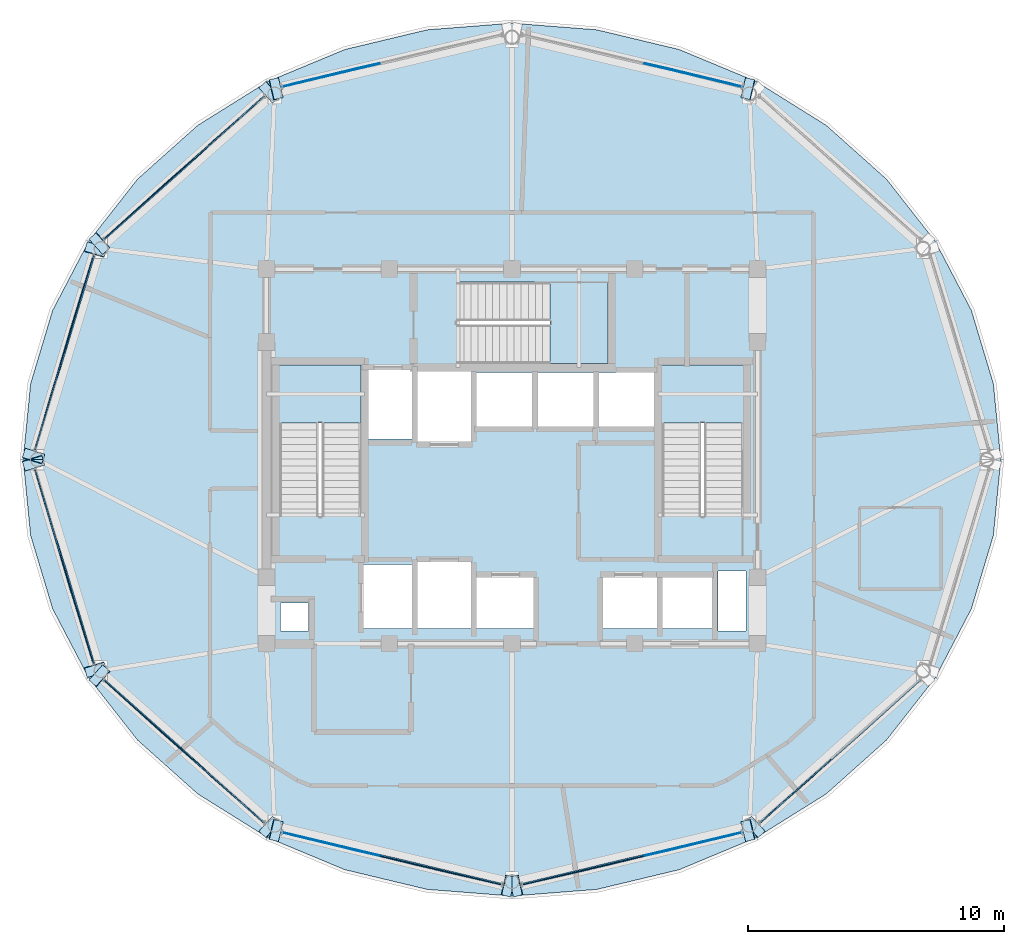
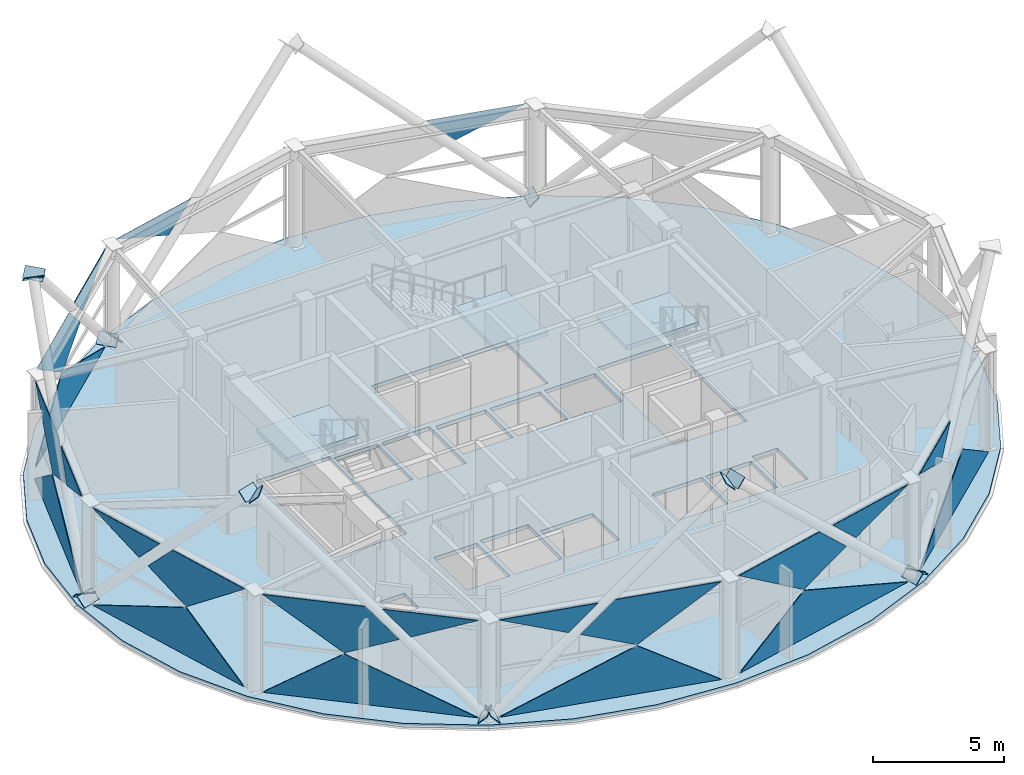
# One storey, part 19 of 27: 37 plates, 4 slabs, 12 elements without a shape of their own.
"""IFC4 building model written with IfcOpenShell, lengths in metres."""

from ifc_helpers import new_model, si_unit, direction, frame, origin, place, context, subcontext, project, spatial, polyline, outline, extrude, material, layer, layer_set, type_object, element, aggregate, save


model = new_model("IFC4")

# Units and contexts
model_context = context("Model", 3, precision=1e-05, world=origin(), true_north=direction((0.0, 1.0)))
body_context = subcontext(model_context, "Body", "Model", "MODEL_VIEW")
ifc_project = project(units=[si_unit("LENGTHUNIT", "METRE"), si_unit("AREAUNIT", "SQUARE_METRE"), si_unit("VOLUMEUNIT", "CUBIC_METRE"), si_unit("PLANEANGLEUNIT", "RADIAN"), si_unit("MASSUNIT", "GRAM", prefix="KILO")], contexts=[model_context])

# Site, building, storey
site_placement = place(None, origin())
site = spatial("IfcSite", under=ifc_project, at=site_placement, CompositionType="ELEMENT")
building_placement = place(site_placement, origin())
building = spatial("IfcBuilding", under=site, at=building_placement, Name="Vantalir Tower", CompositionType="ELEMENT")
storey_placement = place(building_placement, frame((0.0, 0.0, 290.10009765625)))
storey = spatial("IfcBuildingStorey", under=building, at=storey_placement, Name="L73", CompositionType="ELEMENT", Elevation=290.10009765625)

# Curtain wall, plate
ifc_material_1 = material(Name="Champagne-silver PVDF aluminium and double-silver Low-E glass", Category="aluminium")
ifc_layer_1 = layer(ifc_material_1, 0.219970703125)
ifc_layer_set_1 = layer_set([ifc_layer_1], Name="Champagne-silver PVDF aluminium and double-silver Low-E glass")
curtain_wall_type = type_object("IfcCurtainWallType", Name="CW-DIAMOND-Z4", PredefinedType="USERDEFINED", material=ifc_layer_set_1)
curtain_wall_1_placement = place(storey_placement, origin())
curtain_wall_1 = element("IfcCurtainWall", 1, at=curtain_wall_1_placement, inside=storey, type_object=curtain_wall_type, Name="L73 Quilted Pyramid-Diamond Curtain Wall S03", ObjectType="UNITISED CURTAIN WALL", PredefinedType="USERDEFINED")
ifc_material_2 = material(Name="Double-silver Low-E acoustic glass IGU", Category="glass")
ifc_layer_2 = layer(ifc_material_2, 0.031982421875)
ifc_layer_set_2 = layer_set([ifc_layer_2], Name="Double-silver Low-E acoustic glass IGU")
plate_type_1 = type_object("IfcPlateType", Name="CWP-IGU-32", PredefinedType="CURTAIN_PANEL", material=ifc_layer_set_2)
plate_1_placement = place(storey_placement, frame((40.489501953125, 39.593017578125, 4.572998046875), z_axis=(0.232180415024, 0.972615276663, 0.010572534234), x_axis=(-0.972669485658, 0.232194030533, -6.2083965e-05)))
plate_1 = element("IfcPlate", 2, at=plate_1_placement, type_object=plate_type_1, Name="CW-L73-S03 Pyramid Diamond Facet 2U Infill Light", PredefinedType="CURTAIN_PANEL", context=body_context, shape_type="SweptSolid", body=[
    extrude(outline(polyline([(0.0, 0.0), (3.9324264082234053, 1.2739375526704677e-18), (2.7541454241117083, -1.1322165131518813), (0.0, 0.0)])), origin(), (0.0, 0.0, -1.0), 0.031982421875),
])
aggregate(curtain_wall_1, [plate_1])

curtain_wall_2_placement = place(storey_placement, origin())
curtain_wall_2 = element("IfcCurtainWall", 3, at=curtain_wall_2_placement, inside=storey, type_object=curtain_wall_type, Name="L73 Quilted Pyramid-Diamond Curtain Wall S04", ObjectType="UNITISED CURTAIN WALL", PredefinedType="USERDEFINED")
plate_2_placement = place(storey_placement, frame((26.33544921875, 40.506103515625, 4.57275390625), z_axis=(-0.232180415024, 0.972615276663, 0.010572534234), x_axis=(-0.972669485658, -0.232194030533, 6.2083965e-05)))
plate_2 = element("IfcPlate", 4, at=plate_2_placement, type_object=plate_type_1, Name="CW-L73-S04 Pyramid Diamond Facet 2U Infill Light", PredefinedType="CURTAIN_PANEL", context=body_context, shape_type="SweptSolid", body=[
    extrude(outline(polyline([(0.0, 0.0), (3.9324264082234053, -1.2739375526704677e-18), (1.1782809841116975, -1.1322165131518813), (0.0, 0.0)])), origin(), (0.0, 0.0, -1.0), 0.031982421875),
])
aggregate(curtain_wall_2, [plate_2])

# Curtain wall, plates
curtain_wall_3_placement = place(storey_placement, origin())
curtain_wall_3 = element("IfcCurtainWall", 5, at=curtain_wall_3_placement, inside=storey, type_object=curtain_wall_type, Name="L73 Quilted Pyramid-Diamond Curtain Wall S05", ObjectType="UNITISED CURTAIN WALL", PredefinedType="USERDEFINED")
plate_3_placement = place(storey_placement, frame((21.82275390625, 39.19482421875, 0.04736328125), z_axis=(0.665097822152, -0.746683093934, 0.010451995089), x_axis=(-0.74672428644, -0.665133698325, 5.8258185e-05)))
plate_3 = element("IfcPlate", 6, at=plate_3_placement, type_object=plate_type_1, Name="CW-L73-S05 Pyramid Diamond Facet 1L", PredefinedType="CURTAIN_PANEL", context=body_context, shape_type="SweptSolid", body=[
    extrude(outline(polyline([(0.0, 0.0), (8.381333024156369, 2.710505431213761e-19), (5.197953699216179, -2.24859930391494), (0.0, 0.0)])), origin(), (0.0, 0.0, -1.0), 0.031982421875),
])
plate_4_placement = place(storey_placement, frame((18.54833984375, 36.2783203125, 4.572265625), z_axis=(-0.665118034212, 0.746665585462, 0.010416527803), x_axis=(-0.746706518922, -0.665153644555, -6.1111021e-05)))
plate_4 = element("IfcPlate", 7, at=plate_4_placement, type_object=plate_type_1, Name="CW-L73-S05 Pyramid Diamond Facet 2U", PredefinedType="CURTAIN_PANEL", context=body_context, shape_type="SweptSolid", body=[
    extrude(outline(polyline([(0.0, 0.0), (3.9963834774926106, -1.4907779871675686e-18), (0.8130099553584159, -2.248851625271841), (-1.317125586153852, -1.3273010240409366), (0.0, 0.0)])), origin(), (0.0, 0.0, -1.0), 0.031982421875),
])
plate_5_placement = place(storey_placement, frame((21.798828125, 39.2216796875, 4.57275390625), z_axis=(-0.66510396818, 0.74667641582, 0.010537626388), x_axis=(-0.746717875334, -0.66514089835, 0.0)))
plate_5 = element("IfcPlate", 8, at=plate_5_placement, type_object=plate_type_1, Name="CW-L73-S05 Pyramid Diamond Facet 2U Infill Light", PredefinedType="CURTAIN_PANEL", context=body_context, shape_type="SweptSolid", body=[
    extrude(outline(polyline([(0.0, 0.0), (3.7229981880818857, -3.469446951953614e-18), (2.604709723423201, -1.1267715453524179), (0.0, 0.0)])), origin(), (0.0, 0.0, -1.0), 0.031982421875),
])
aggregate(curtain_wall_3, [plate_3, plate_4, plate_5])

curtain_wall_4_placement = place(storey_placement, origin())
curtain_wall_4 = element("IfcCurtainWall", 9, at=curtain_wall_4_placement, inside=storey, type_object=curtain_wall_type, Name="L73 Quilted Pyramid-Diamond Curtain Wall S06", ObjectType="UNITISED CURTAIN WALL", PredefinedType="USERDEFINED")
plate_6_placement = place(storey_placement, frame((15.1455078125, 32.96337890625, 0.0478515625), z_axis=(0.957550965706, -0.288067963096, 0.010629991259), x_axis=(-0.288083925546, -0.957605164402, -3.0860624e-05)))
plate_6 = element("IfcPlate", 10, at=plate_6_placement, type_object=plate_type_1, Name="CW-L73-S06 Pyramid Diamond Facet 1L", PredefinedType="CURTAIN_PANEL", context=body_context, shape_type="SweptSolid", body=[
    extrude(outline(polyline([(0.0, 0.0), (7.911072199030909, 2.710505431213761e-18), (3.008637507253169, -2.248510905887778), (0.0, 0.0)])), origin(), (0.0, 0.0, -1.0), 0.031982421875),
])
plate_7_placement = place(storey_placement, frame((15.1455078125, 32.96337890625, 4.57177734375), z_axis=(-0.95755535598, 0.288052140713, 0.010663229553), x_axis=(-0.288067854722, -0.957609997263, 6.4943289e-05)))
plate_7 = element("IfcPlate", 11, at=plate_7_placement, type_object=plate_type_1, Name="CW-L73-S06 Pyramid Diamond Facet 2U", PredefinedType="CURTAIN_PANEL", context=body_context, shape_type="SweptSolid", body=[
    extrude(outline(polyline([(0.0, 0.0), (3.763023657107501, 2.168404344971009e-19), (5.014155760040139, -1.3285261703942524), (3.0085604889110527, -2.248369851525785), (0.0, 0.0)])), origin(), (0.0, 0.0, -1.0), 0.031982421875),
])
plate_8_placement = place(storey_placement, frame((13.84130859375, 28.7529296875, 4.572509765625), z_axis=(-0.95755315699, 0.288061080636, 0.010619103559), x_axis=(-0.288076614307, -0.957607361831, 6.9684716e-05)))
plate_8 = element("IfcPlate", 12, at=plate_8_placement, type_object=plate_type_1, Name="CW-L73-S06 Pyramid Diamond Facet 2U Infill Light", PredefinedType="CURTAIN_PANEL", context=body_context, shape_type="SweptSolid", body=[
    extrude(outline(polyline([(0.0, 0.0), (3.503503212772278, -2.032879073410321e-18), (1.0569542204705047, -1.1222072436150958), (0.0, 0.0)])), origin(), (0.0, 0.0, -1.0), 0.031982421875),
])
aggregate(curtain_wall_4, [plate_6, plate_7, plate_8])

curtain_wall_5_placement = place(storey_placement, origin())
curtain_wall_5 = element("IfcCurtainWall", 13, at=curtain_wall_5_placement, inside=storey, type_object=curtain_wall_type, Name="L73 Quilted Pyramid-Diamond Curtain Wall S07", ObjectType="UNITISED CURTAIN WALL", PredefinedType="USERDEFINED")
plate_9_placement = place(storey_placement, frame((12.866455078125, 24.6123046875, 0.047607421875), z_axis=(0.957550965706, 0.288067963096, 0.010629991259), x_axis=(0.288083925546, -0.957605164402, 3.0860624e-05)))
plate_9 = element("IfcPlate", 14, at=plate_9_placement, type_object=plate_type_1, Name="CW-L73-S07 Pyramid Diamond Facet 1L", PredefinedType="CURTAIN_PANEL", context=body_context, shape_type="SweptSolid", body=[
    extrude(outline(polyline([(0.0, 0.0), (7.911072199030909, -2.710505431213761e-18), (4.90243469177774, -2.248510905887778), (0.0, 0.0)])), origin(), (0.0, 0.0, -1.0), 0.031982421875),
])
plate_10_placement = place(storey_placement, frame((14.0615234375, 20.64013671875, 4.572021484375), z_axis=(-0.95755535598, -0.288052140713, 0.010663229553), x_axis=(0.288067854722, -0.957609997263, -6.4943289e-05)))
plate_10 = element("IfcPlate", 15, at=plate_10_placement, type_object=plate_type_1, Name="CW-L73-S07 Pyramid Diamond Facet 2U", PredefinedType="CURTAIN_PANEL", context=body_context, shape_type="SweptSolid", body=[
    extrude(outline(polyline([(0.0, 0.0), (3.763023657107501, -2.168404344971009e-19), (0.7544631681964478, -2.248369851525785), (-1.2511321029326385, -1.3285261703942526), (0.0, 0.0)])), origin(), (0.0, 0.0, -1.0), 0.031982421875),
])
plate_11_placement = place(storey_placement, frame((12.83203125, 24.60205078125, 4.57275390625), z_axis=(-0.95755315699, -0.288061080636, 0.010619103559), x_axis=(0.288076614307, -0.957607361831, -6.9684716e-05)))
plate_11 = element("IfcPlate", 16, at=plate_11_placement, type_object=plate_type_1, Name="CW-L73-S07 Pyramid Diamond Facet 2U Infill Light", PredefinedType="CURTAIN_PANEL", context=body_context, shape_type="SweptSolid", body=[
    extrude(outline(polyline([(0.0, 0.0), (3.503503212772278, 2.032879073410321e-18), (2.446548992301773, -1.1222072436150958), (0.0, 0.0)])), origin(), (0.0, 0.0, -1.0), 0.031982421875),
])
aggregate(curtain_wall_5, [plate_9, plate_10, plate_11])

curtain_wall_6_placement = place(storey_placement, origin())
curtain_wall_6 = element("IfcCurtainWall", 17, at=curtain_wall_6_placement, inside=storey, type_object=curtain_wall_type, Name="L73 Quilted Pyramid-Diamond Curtain Wall S08", ObjectType="UNITISED CURTAIN WALL", PredefinedType="USERDEFINED")
plate_12_placement = place(storey_placement, frame((15.564208984375, 16.3798828125, 0.0478515625), z_axis=(0.665097822152, 0.746683093934, 0.010451995089), x_axis=(0.74672428644, -0.665133698325, -5.8258185e-05)))
plate_12 = element("IfcPlate", 18, at=plate_12_placement, type_object=plate_type_1, Name="CW-L73-S08 Pyramid Diamond Facet 1L", PredefinedType="CURTAIN_PANEL", context=body_context, shape_type="SweptSolid", body=[
    extrude(outline(polyline([(0.0, 0.0), (8.381333024156369, -2.710505431213761e-19), (3.18337932494019, -2.24859930391494), (0.0, 0.0)])), origin(), (0.0, 0.0, -1.0), 0.031982421875),
])
plate_13_placement = place(storey_placement, frame((15.564208984375, 16.3798828125, 4.572021484375), z_axis=(-0.665118034212, -0.746665585462, 0.010416527803), x_axis=(0.746706518922, -0.665153644555, 6.1111021e-05)))
plate_13 = element("IfcPlate", 19, at=plate_13_placement, type_object=plate_type_1, Name="CW-L73-S08 Pyramid Diamond Facet 2U", PredefinedType="CURTAIN_PANEL", context=body_context, shape_type="SweptSolid", body=[
    extrude(outline(polyline([(0.0, 0.0), (3.9963834774926106, 1.4907779871675686e-18), (5.313509063646462, -1.3273010240409366), (3.183373522134195, -2.248851625271841), (0.0, 0.0)])), origin(), (0.0, 0.0, -1.0), 0.031982421875),
])
plate_14_placement = place(storey_placement, frame((19.018798828125, 13.254638671875, 4.57275390625), z_axis=(-0.66510396818, -0.74667641582, 0.010537626388), x_axis=(0.746717875334, -0.66514089835, 0.0)))
plate_14 = element("IfcPlate", 20, at=plate_14_placement, type_object=plate_type_1, Name="CW-L73-S08 Pyramid Diamond Facet 2U Infill Light", PredefinedType="CURTAIN_PANEL", context=body_context, shape_type="SweptSolid", body=[
    extrude(outline(polyline([(0.0, 0.0), (3.7229981880818857, 3.469446951953614e-18), (1.1182884646586844, -1.1267715453524179), (0.0, 0.0)])), origin(), (0.0, 0.0, -1.0), 0.031982421875),
])
aggregate(curtain_wall_6, [plate_12, plate_13, plate_14])

curtain_wall_7_placement = place(storey_placement, origin())
curtain_wall_7 = element("IfcCurtainWall", 21, at=curtain_wall_7_placement, inside=storey, type_object=curtain_wall_type, Name="L73 Quilted Pyramid-Diamond Curtain Wall S09", ObjectType="UNITISED CURTAIN WALL", PredefinedType="USERDEFINED")
plate_15_placement = place(storey_placement, frame((22.518798828125, 10.44189453125, 0.04736328125), z_axis=(0.23218929315, 0.972613638848, 0.010528137241), x_axis=(0.972667478413, -0.232202445449, 2.7653024e-05)))
plate_15 = element("IfcPlate", 22, at=plate_15_placement, type_object=plate_type_1, Name="CW-L73-S09 Pyramid Diamond Facet 1L", PredefinedType="CURTAIN_PANEL", context=body_context, shape_type="SweptSolid", body=[
    extrude(outline(polyline([(0.0, 0.0), (8.828713341747163, 4.743384504624082e-18), (5.47126407180125, -2.248996786099446), (0.0, 0.0)])), origin(), (0.0, 0.0, -1.0), 0.031982421875),
])
plate_16_placement = place(storey_placement, frame((27.002685546875, 9.37158203125, 4.572265625), z_axis=(-0.232218164757, -0.972606327074, 0.010566763575), x_axis=(0.972660630608, -0.232231129838, 3.2851e-08)))
plate_16 = element("IfcPlate", 23, at=plate_16_placement, type_object=plate_type_1, Name="CW-L73-S09 Pyramid Diamond Facet 2U", PredefinedType="CURTAIN_PANEL", context=body_context, shape_type="SweptSolid", body=[
    extrude(outline(polyline([(0.0, 0.0), (4.218853369944845, -1.734723475976807e-18), (0.8613425390198435, -2.248904881091072), (-1.3811872505644813, -1.3269781978430766), (0.0, 0.0)])), origin(), (0.0, 0.0, -1.0), 0.031982421875),
])
plate_17_placement = place(storey_placement, frame((22.510498046875, 10.406982421875, 4.572998046875), z_axis=(-0.232180415024, -0.972615276663, 0.010572534234), x_axis=(0.972669485658, -0.232194030533, -6.2083965e-05)))
plate_17 = element("IfcPlate", 24, at=plate_17_placement, type_object=plate_type_1, Name="CW-L73-S09 Pyramid Diamond Facet 2U Infill Light", PredefinedType="CURTAIN_PANEL", context=body_context, shape_type="SweptSolid", body=[
    extrude(outline(polyline([(0.0, 0.0), (3.9324264082234053, 1.2739375526704677e-18), (2.7541454241117083, -1.1322165131518813), (0.0, 0.0)])), origin(), (0.0, 0.0, -1.0), 0.031982421875),
])
aggregate(curtain_wall_7, [plate_15, plate_16, plate_17])

curtain_wall_8_placement = place(storey_placement, origin())
curtain_wall_8 = element("IfcCurtainWall", 25, at=curtain_wall_8_placement, inside=storey, type_object=curtain_wall_type, Name="L73 Quilted Pyramid-Diamond Curtain Wall S10", ObjectType="UNITISED CURTAIN WALL", PredefinedType="USERDEFINED")
plate_18_placement = place(storey_placement, frame((31.893798828125, 8.391845703125, 0.047607421875), z_axis=(-0.23218929315, 0.972613638848, 0.010528137241), x_axis=(0.972667478413, 0.232202445449, -2.7653024e-05)))
plate_18 = element("IfcPlate", 26, at=plate_18_placement, type_object=plate_type_1, Name="CW-L73-S10 Pyramid Diamond Facet 1L", PredefinedType="CURTAIN_PANEL", context=body_context, shape_type="SweptSolid", body=[
    extrude(outline(polyline([(0.0, 0.0), (8.828713341747163, -4.743384504624082e-18), (3.3574492699459113, -2.248996786099446), (0.0, 0.0)])), origin(), (0.0, 0.0, -1.0), 0.031982421875),
])
plate_19_placement = place(storey_placement, frame((31.893798828125, 8.391845703125, 4.572265625), z_axis=(0.232218164757, -0.972606327074, 0.010566763575), x_axis=(0.972660630608, 0.232231129838, -3.2851e-08)))
plate_19 = element("IfcPlate", 27, at=plate_19_placement, type_object=plate_type_1, Name="CW-L73-S10 Pyramid Diamond Facet 2U", PredefinedType="CURTAIN_PANEL", context=body_context, shape_type="SweptSolid", body=[
    extrude(outline(polyline([(0.0, 0.0), (4.218853369944845, 1.734723475976807e-18), (5.600040620509325, -1.3269781978430766), (3.3575108309250017, -2.248904881091072), (0.0, 0.0)])), origin(), (0.0, 0.0, -1.0), 0.031982421875),
])
plate_20_placement = place(storey_placement, frame((36.66455078125, 9.493896484375, 4.57275390625), z_axis=(0.232180415024, -0.972615276663, 0.010572534234), x_axis=(0.972669485658, 0.232194030533, 6.2083965e-05)))
plate_20 = element("IfcPlate", 28, at=plate_20_placement, type_object=plate_type_1, Name="CW-L73-S10 Pyramid Diamond Facet 2U Infill Light", PredefinedType="CURTAIN_PANEL", context=body_context, shape_type="SweptSolid", body=[
    extrude(outline(polyline([(0.0, 0.0), (3.9324264082234053, -1.2739375526704677e-18), (1.1782809841116975, -1.1322165131518813), (0.0, 0.0)])), origin(), (0.0, 0.0, -1.0), 0.031982421875),
])
aggregate(curtain_wall_8, [plate_18, plate_19, plate_20])

curtain_wall_9_placement = place(storey_placement, origin())
curtain_wall_9 = element("IfcCurtainWall", 29, at=curtain_wall_9_placement, inside=storey, type_object=curtain_wall_type, Name="L73 Quilted Pyramid-Diamond Curtain Wall S11", ObjectType="UNITISED CURTAIN WALL", PredefinedType="USERDEFINED")
plate_21_placement = place(storey_placement, frame((41.17724609375, 10.80517578125, 0.04736328125), z_axis=(-0.665097822152, 0.746683093934, 0.010451995089), x_axis=(0.74672428644, 0.665133698325, 5.8258185e-05)))
plate_21 = element("IfcPlate", 30, at=plate_21_placement, type_object=plate_type_1, Name="CW-L73-S11 Pyramid Diamond Facet 1L", PredefinedType="CURTAIN_PANEL", context=body_context, shape_type="SweptSolid", body=[
    extrude(outline(polyline([(0.0, 0.0), (8.381333024156369, 2.710505431213761e-19), (5.197953699216179, -2.24859930391494), (0.0, 0.0)])), origin(), (0.0, 0.0, -1.0), 0.031982421875),
])
plate_22_placement = place(storey_placement, frame((41.201171875, 10.7783203125, 4.57275390625), z_axis=(0.66510396818, -0.74667641582, 0.010537626388), x_axis=(0.746717875334, 0.66514089835, 0.0)))
plate_22 = element("IfcPlate", 31, at=plate_22_placement, type_object=plate_type_1, Name="CW-L73-S11 Pyramid Diamond Facet 2U Infill Light", PredefinedType="CURTAIN_PANEL", context=body_context, shape_type="SweptSolid", body=[
    extrude(outline(polyline([(0.0, 0.0), (3.7229981880818857, -3.469446951953614e-18), (2.604709723423201, -1.1267715453524179), (0.0, 0.0)])), origin(), (0.0, 0.0, -1.0), 0.031982421875),
])
aggregate(curtain_wall_9, [plate_21, plate_22])

# Plates
ifc_material_3 = material(Name="Steel S460", Category="steel")
ifc_layer_3 = layer(ifc_material_3, 0.031982421875)
ifc_layer_set_3 = layer_set([ifc_layer_3], Name="Steel S460")
plate_type_2 = type_object("IfcPlateType", Name="PLT-KN-Z3", PredefinedType="USERDEFINED", material=ifc_layer_set_3)
plate_23_placement = place(storey_placement, frame((40.6328125, 39.93310546875, 0.05029296875), z_axis=(-0.701464265601, 0.167497428968, 0.692742733902), x_axis=(-0.232253135063, -0.972655376407, 0.0)))
element("IfcPlate", 32, at=plate_23_placement, inside=storey, type_object=plate_type_2, Name="Node Cap Plate MEM-DG-L73-R07L Start", ObjectType="FLANGE_PLATE", PredefinedType="USERDEFINED", context=body_context, shape_type="SweptSolid", body=[
    extrude(outline(polyline([(0.0, 0.0), (0.7999505176738269, 0.0), (0.8000329261924353, 0.5199776867324402), (8.240851860848164e-05, 0.5199776867324402), (0.0, 0.0)])), origin(), (0.0, 0.0, -1.0), 0.031982421875),
])
plate_24_placement = place(storey_placement, frame((21.601318359375, 39.533203125, 0.05859375), z_axis=(-0.526070977765, -0.468562196992, 0.709717404256), x_axis=(0.665068827954, -0.746782063817, -5.697464e-05)))
element("IfcPlate", 33, at=plate_24_placement, inside=storey, type_object=plate_type_2, Name="Node Cap Plate MEM-DG-L73-R13L Start", ObjectType="FLANGE_PLATE", PredefinedType="USERDEFINED", context=body_context, shape_type="SweptSolid", body=[
    extrude(outline(polyline([(0.0, 0.0), (0.7999415737964686, 0.0), (0.8000053605797857, 0.5198914770530302), (-9.858353600745503e-05, 0.5197620749719659), (0.0, 0.0)])), origin(), (0.0, 0.0, -1.0), 0.031982421875),
])
plate_25_placement = place(storey_placement, frame((14.961181640625, 33.618896484375, 9.017578125), z_axis=(-0.526128710952, -0.468721123774, 0.709569649605), x_axis=(0.665196763169, -0.746668109851, 0.0)))
element("IfcPlate", 34, at=plate_25_placement, inside=storey, type_object=plate_type_2, Name="Node Cap Plate MEM-DG-L73-R13L End", ObjectType="FLANGE_PLATE", PredefinedType="USERDEFINED", context=body_context, shape_type="SweptSolid", body=[
    extrude(outline(polyline([(0.0, 0.0), (0.8001039571571018, 0.0), (0.8002518319661448, 0.5200634651434893), (0.00014787480904299155, 0.5200634651434893), (0.0, 0.0)])), origin(), (0.0, 0.0, -1.0), 0.031982421875),
])
plate_26_placement = place(storey_placement, frame((22.552978515625, 39.155029296875, 0.05029296875), z_axis=(0.701464265601, 0.167497428968, 0.692742733902), x_axis=(-0.232253135063, 0.972655376407, 0.0)))
element("IfcPlate", 35, at=plate_26_placement, inside=storey, type_object=plate_type_2, Name="Node Cap Plate MEM-DG-L73-R13R Start", ObjectType="FLANGE_PLATE", PredefinedType="USERDEFINED", context=body_context, shape_type="SweptSolid", body=[
    extrude(outline(polyline([(0.0, 0.0), (0.7999505176738269, 0.0), (0.7998681091552183, 0.5199776867324402), (-8.240851860848164e-05, 0.5199776867324402), (0.0, 0.0)])), origin(), (0.0, 0.0, -1.0), 0.031982421875),
])
plate_27_placement = place(storey_placement, frame((12.466552734375, 24.553955078125, 0.067626953125), z_axis=(0.197402538279, -0.656543895197, 0.727998867829), x_axis=(0.957672011935, 0.287861619945, -7.2935221e-05)))
element("IfcPlate", 36, at=plate_27_placement, inside=storey, type_object=plate_type_2, Name="Node Cap Plate MEM-DG-L73-R19L Start", ObjectType="FLANGE_PLATE", PredefinedType="USERDEFINED", context=body_context, shape_type="SweptSolid", body=[
    extrude(outline(polyline([(0.0, 0.0), (0.7999580764304897, -2.7755575615628914e-17), (0.7997844023244071, 0.520004251386583), (-0.00024395282188941793, 0.5198340368997574), (0.0, 0.0)])), origin(), (0.0, 0.0, -1.0), 0.031982421875),
])
plate_28_placement = place(storey_placement, frame((14.894775390625, 16.481201171875, 9.01904296875), z_axis=(0.197466142278, -0.656407578886, 0.728104534414), x_axis=(0.957607633702, 0.288075718998, 0.0)))
element("IfcPlate", 37, at=plate_28_placement, inside=storey, type_object=plate_type_2, Name="Node Cap Plate MEM-DG-L73-R19L End", ObjectType="FLANGE_PLATE", PredefinedType="USERDEFINED", context=body_context, shape_type="SweptSolid", body=[
    extrude(outline(polyline([(0.0, 0.0), (0.8000283772680843, 0.0), (0.7999653475919969, 0.5200042827450746), (-6.302967608747711e-05, 0.5200042827450745), (0.0, 0.0)])), origin(), (0.0, 0.0, -1.0), 0.031982421875),
])
plate_29_placement = place(storey_placement, frame((13.232666015625, 25.2158203125, 0.067626953125), z_axis=(0.197402538279, 0.656543895197, 0.727998867829), x_axis=(-0.957672011935, 0.287861619945, 7.2935221e-05)))
element("IfcPlate", 38, at=plate_29_placement, inside=storey, type_object=plate_type_2, Name="Node Cap Plate MEM-DG-L73-R19R Start", ObjectType="FLANGE_PLATE", PredefinedType="USERDEFINED", context=body_context, shape_type="SweptSolid", body=[
    extrude(outline(polyline([(0.0, 0.0), (0.7999580764304897, 2.7755575615628914e-17), (0.800202029252379, 0.5198340368997574), (0.00017367410608255275, 0.520004251386583), (0.0, 0.0)])), origin(), (0.0, 0.0, -1.0), 0.031982421875),
])
plate_30_placement = place(storey_placement, frame((15.660888671875, 33.288330078125, 9.01904296875), z_axis=(0.197466142278, 0.656407578886, 0.728104534414), x_axis=(-0.957607633702, 0.288075718998, 0.0)))
element("IfcPlate", 39, at=plate_30_placement, inside=storey, type_object=plate_type_2, Name="Node Cap Plate MEM-DG-L73-R19R End", ObjectType="FLANGE_PLATE", PredefinedType="USERDEFINED", context=body_context, shape_type="SweptSolid", body=[
    extrude(outline(polyline([(0.0, 0.0), (0.8000283772680843, 0.0), (0.8000914069441717, 0.5200042827450745), (6.302967608747711e-05, 0.5200042827450745), (0.0, 0.0)])), origin(), (0.0, 0.0, -1.0), 0.031982421875),
])
for number, where, z_axis, x_axis, name in (
    (40, (22.3671875, 10.06689453125, 0.05029296875), (0.701464265601, -0.167497428968, 0.692742733902), (0.232253135063, 0.972655376407, 0.0), "Node Cap Plate MEM-DG-L73-R25L Start"),
    (41, (31.44482421875, 7.89990234375, 9.0166015625), (0.701464265601, -0.167497428968, 0.692742733902), (0.232253135063, 0.972655376407, 0.0), "Node Cap Plate MEM-DG-L73-R25L End"),
):
    element("IfcPlate", number, at=place(storey_placement, frame(where, z_axis=z_axis, x_axis=x_axis)), inside=storey, type_object=plate_type_2, Name=name, ObjectType="FLANGE_PLATE", PredefinedType="USERDEFINED", context=body_context, shape_type="SweptSolid", body=[
        extrude(outline(polyline([(0.0, 0.0), (0.7999505176738269, 0.0), (0.8000329261924353, 0.5199776867324402), (8.240851860848164e-05, 0.5199776867324402), (0.0, 0.0)])), origin(), (0.0, 0.0, -1.0), 0.031982421875),
    ])
plate_31_placement = place(storey_placement, frame((22.13330078125, 11.064208984375, 0.05859375), z_axis=(-0.526070977765, 0.468562196992, 0.709717404256), x_axis=(-0.665068827954, -0.746782063817, 5.697464e-05)))
element("IfcPlate", 42, at=plate_31_placement, inside=storey, type_object=plate_type_2, Name="Node Cap Plate MEM-DG-L73-R25R Start", ObjectType="FLANGE_PLATE", PredefinedType="USERDEFINED", context=body_context, shape_type="SweptSolid", body=[
    extrude(outline(polyline([(0.0, 0.0), (0.7999415737964686, 0.0), (0.800040157332476, 0.5197620749719658), (-6.378678331716229e-05, 0.5198914770530302), (0.0, 0.0)])), origin(), (0.0, 0.0, -1.0), 0.031982421875),
])
plate_32_placement = place(storey_placement, frame((15.493408203125, 16.978515625, 9.017578125), z_axis=(-0.526128710952, 0.468721123774, 0.709569649605), x_axis=(-0.665196763169, -0.746668109851, 0.0)))
element("IfcPlate", 43, at=plate_32_placement, inside=storey, type_object=plate_type_2, Name="Node Cap Plate MEM-DG-L73-R25R End", ObjectType="FLANGE_PLATE", PredefinedType="USERDEFINED", context=body_context, shape_type="SweptSolid", body=[
    extrude(outline(polyline([(0.0, 0.0), (0.8001039571571018, 0.0), (0.7999560823480588, 0.5200634651434893), (-0.00014787480904299155, 0.5200634651434893), (0.0, 0.0)])), origin(), (0.0, 0.0, -1.0), 0.031982421875),
])
plate_33_placement = place(storey_placement, frame((41.398681640625, 10.466796875, 0.05859375), z_axis=(0.526070977765, 0.468562196992, 0.709717404256), x_axis=(-0.665068827954, 0.746782063817, -5.697464e-05)))
element("IfcPlate", 44, at=plate_33_placement, inside=storey, type_object=plate_type_2, Name="Node Cap Plate MEM-DG-L73-R31L Start", ObjectType="FLANGE_PLATE", PredefinedType="USERDEFINED", context=body_context, shape_type="SweptSolid", body=[
    extrude(outline(polyline([(0.0, 0.0), (0.7999415737964686, 0.0), (0.8000053605797857, 0.5198914770530302), (-9.858353600745503e-05, 0.5197620749719659), (0.0, 0.0)])), origin(), (0.0, 0.0, -1.0), 0.031982421875),
])
for number, where, z_axis, x_axis, name in (
    (45, (40.447021484375, 10.844970703125, 0.05029296875), (-0.701464265601, -0.167497428968, 0.692742733902), (0.232253135063, -0.972655376407, 0.0), "Node Cap Plate MEM-DG-L73-R31R Start"),
    (46, (31.369384765625, 8.677978515625, 9.0166015625), (-0.701464265601, -0.167497428968, 0.692742733902), (0.232253135063, -0.972655376407, 0.0), "Node Cap Plate MEM-DG-L73-R31R End"),
):
    element("IfcPlate", number, at=place(storey_placement, frame(where, z_axis=z_axis, x_axis=x_axis)), inside=storey, type_object=plate_type_2, Name=name, ObjectType="FLANGE_PLATE", PredefinedType="USERDEFINED", context=body_context, shape_type="SweptSolid", body=[
        extrude(outline(polyline([(0.0, 0.0), (0.7999505176738269, 0.0), (0.7998681091552183, 0.5199776867324402), (-8.240851860848164e-05, 0.5199776867324402), (0.0, 0.0)])), origin(), (0.0, 0.0, -1.0), 0.031982421875),
    ])

# Stair, slab
ifc_material_4 = material(Name="Concrete C40/50", Category="concrete")
stair_type = type_object("IfcStairType", Name="STR-CORE-1450", PredefinedType="HALF_TURN_STAIR", material=ifc_material_4)
stair_1_placement = place(storey_placement, origin())
stair_1 = element("IfcStair", 47, at=stair_1_placement, inside=storey, type_object=stair_type, Name="L73 Core Exit Stair 1", PredefinedType="HALF_TURN_STAIR")
ifc_layer_4 = layer(ifc_material_4, 0.199951171875)
ifc_layer_set_4 = layer_set([ifc_layer_4], Name="Concrete C40/50")
slab_type_1 = type_object("IfcSlabType", Name="SL-LAND-200", PredefinedType="LANDING", material=ifc_layer_set_4)
slab_1_placement = place(storey_placement, frame((0.0, 0.0, 2.199951171875)))
slab_1 = element("IfcSlab", 48, at=slab_1_placement, type_object=slab_type_1, Name="ST1 landing 1", PredefinedType="LANDING", context=body_context, shape_type="SweptSolid", body=[
    extrude(outline(polyline([(25.60009765625, 26.429931640625), (25.60009765625, 28.699951171875), (22.39990234375, 28.699951171875), (22.39990234375, 26.429931640625), (25.60009765625, 26.429931640625)])), origin(), (0.0, 0.0, 1.0), 0.199951171875),
])
aggregate(stair_1, [slab_1])

stair_2_placement = place(storey_placement, origin())
stair_2 = element("IfcStair", 49, at=stair_2_placement, inside=storey, type_object=stair_type, Name="L73 Core Exit Stair 2", PredefinedType="HALF_TURN_STAIR")
slab_2_placement = place(storey_placement, frame((0.0, 0.0, 2.199951171875)))
slab_2 = element("IfcSlab", 50, at=slab_2_placement, type_object=slab_type_1, Name="ST2 landing 1", PredefinedType="LANDING", context=body_context, shape_type="SweptSolid", body=[
    extrude(outline(polyline([(40.550048828125, 26.429931640625), (40.550048828125, 28.699951171875), (37.35009765625, 28.699951171875), (37.35009765625, 26.429931640625), (40.550048828125, 26.429931640625)])), origin(), (0.0, 0.0, 1.0), 0.199951171875),
])
aggregate(stair_2, [slab_2])

stair_3_placement = place(storey_placement, origin())
stair_3 = element("IfcStair", 51, at=stair_3_placement, inside=storey, type_object=stair_type, Name="L73 Core Exit Stair 3", PredefinedType="HALF_TURN_STAIR")
slab_3_placement = place(storey_placement, frame((0.0, 0.0, 2.199951171875)))
slab_3 = element("IfcSlab", 52, at=slab_3_placement, type_object=slab_type_1, Name="ST3 landing 1", PredefinedType="LANDING", context=body_context, shape_type="SweptSolid", body=[
    extrude(outline(polyline([(32.97998046875, 28.75), (35.25, 28.75), (35.25, 31.949951171875), (32.97998046875, 31.949951171875), (32.97998046875, 28.75)])), origin(), (0.0, 0.0, 1.0), 0.199951171875),
])
aggregate(stair_3, [slab_3])

# Slab
ifc_layer_5 = layer(ifc_material_4, 0.179931640625)
ifc_layer_set_5 = layer_set([ifc_layer_5], Name="Concrete C40/50")
slab_type_2 = type_object("IfcSlabType", Name="SL-TWR-180", PredefinedType="FLOOR", material=ifc_layer_set_5)
slab_4_placement = place(storey_placement, frame((0.0, 0.0, -0.18017578125)))
element("IfcSlab", 53, at=slab_4_placement, inside=storey, type_object=slab_type_2, Name="L73 Primary Structural Slab", PredefinedType="FLOOR", context=body_context, shape_type="SweptSolid", body=[
    extrude(outline(polyline([(16.861083984375, 14.032958984375), (19.216064453125, 11.929931640625), (21.945068359375, 10.22412109375), (24.964111328125, 8.967041015625), (28.181884765625, 8.197021484375), (31.5, 7.93798828125), (34.818115234375, 8.197021484375), (38.035888671875, 8.967041015625), (41.054931640625, 10.22412109375), (43.783935546875, 11.929931640625), (46.138916015625, 14.032958984375), (48.050048828125, 16.468994140625), (49.4580078125, 19.1640625), (50.320068359375, 22.037109375), (50.610107421875, 25.0), (50.320068359375, 27.962890625), (49.4580078125, 30.8359375), (48.050048828125, 33.531005859375), (46.138916015625, 35.967041015625), (43.783935546875, 38.070068359375), (41.054931640625, 39.77587890625), (38.035888671875, 41.032958984375), (34.818115234375, 41.802978515625), (31.5, 42.06201171875), (28.181884765625, 41.802978515625), (24.964111328125, 41.032958984375), (21.945068359375, 39.77587890625), (19.216064453125, 38.070068359375), (16.861083984375, 35.967041015625), (14.949951171875, 33.531005859375), (13.5419921875, 30.8359375), (12.679931640625, 27.962890625), (12.389892578125, 25.0), (12.679931640625, 22.037109375), (13.5419921875, 19.1640625), (14.949951171875, 16.468994140625), (16.861083984375, 14.032958984375)]), holes=[polyline([(22.39990234375, 28.699951171875), (25.60009765625, 28.699951171875), (25.60009765625, 22.7900390625), (22.39990234375, 22.7900390625), (22.39990234375, 28.699951171875)]), polyline([(40.550048828125, 28.699951171875), (40.550048828125, 22.7900390625), (37.35009765625, 22.7900390625), (37.35009765625, 28.699951171875), (40.550048828125, 28.699951171875)]), polyline([(29.340087890625, 28.75), (29.340087890625, 31.949951171875), (35.25, 31.949951171875), (35.25, 28.75), (29.340087890625, 28.75)]), polyline([(25.699951171875, 18.39990234375), (25.699951171875, 20.89990234375), (27.60009765625, 20.89990234375), (27.60009765625, 18.39990234375), (25.699951171875, 18.39990234375)]), polyline([(25.699951171875, 28.5), (27.60009765625, 28.5), (27.60009765625, 25.800048828125), (25.699951171875, 25.800048828125), (25.699951171875, 28.5)]), polyline([(29.89990234375, 21.0), (29.89990234375, 18.39990234375), (27.800048828125, 18.39990234375), (27.800048828125, 21.0), (29.89990234375, 21.0)]), polyline([(29.89990234375, 25.699951171875), (27.800048828125, 25.699951171875), (27.800048828125, 28.5), (29.89990234375, 28.5), (29.89990234375, 25.699951171875)]), polyline([(30.10009765625, 18.39990234375), (30.10009765625, 20.39990234375), (32.39990234375, 20.39990234375), (32.39990234375, 18.39990234375), (30.10009765625, 18.39990234375)]), polyline([(37.35009765625, 20.39990234375), (39.35009765625, 20.39990234375), (39.35009765625, 18.39990234375), (37.35009765625, 18.39990234375), (37.35009765625, 20.39990234375)]), polyline([(37.199951171875, 20.39990234375), (37.199951171875, 18.39990234375), (35.0, 18.39990234375), (35.0, 20.39990234375), (37.199951171875, 20.39990234375)]), polyline([(32.300048828125, 26.300048828125), (30.10009765625, 26.300048828125), (30.10009765625, 28.39990234375), (32.300048828125, 28.39990234375), (32.300048828125, 26.300048828125)]), polyline([(32.5, 26.300048828125), (32.5, 28.39990234375), (34.699951171875, 28.39990234375), (34.699951171875, 26.300048828125), (32.5, 26.300048828125)]), polyline([(34.89990234375, 28.39990234375), (37.10009765625, 28.39990234375), (37.10009765625, 26.300048828125), (34.89990234375, 26.300048828125), (34.89990234375, 28.39990234375)]), polyline([(23.550048828125, 19.39990234375), (23.550048828125, 18.300048828125), (22.449951171875, 18.300048828125), (22.449951171875, 19.39990234375), (23.550048828125, 19.39990234375)]), polyline([(40.64990234375, 18.300048828125), (39.550048828125, 18.300048828125), (39.550048828125, 20.64990234375), (40.64990234375, 20.64990234375), (40.64990234375, 18.300048828125)])]), origin(), (0.0, 0.0, 1.0), 0.18017578125),
])

save(model, "model.ifc")
